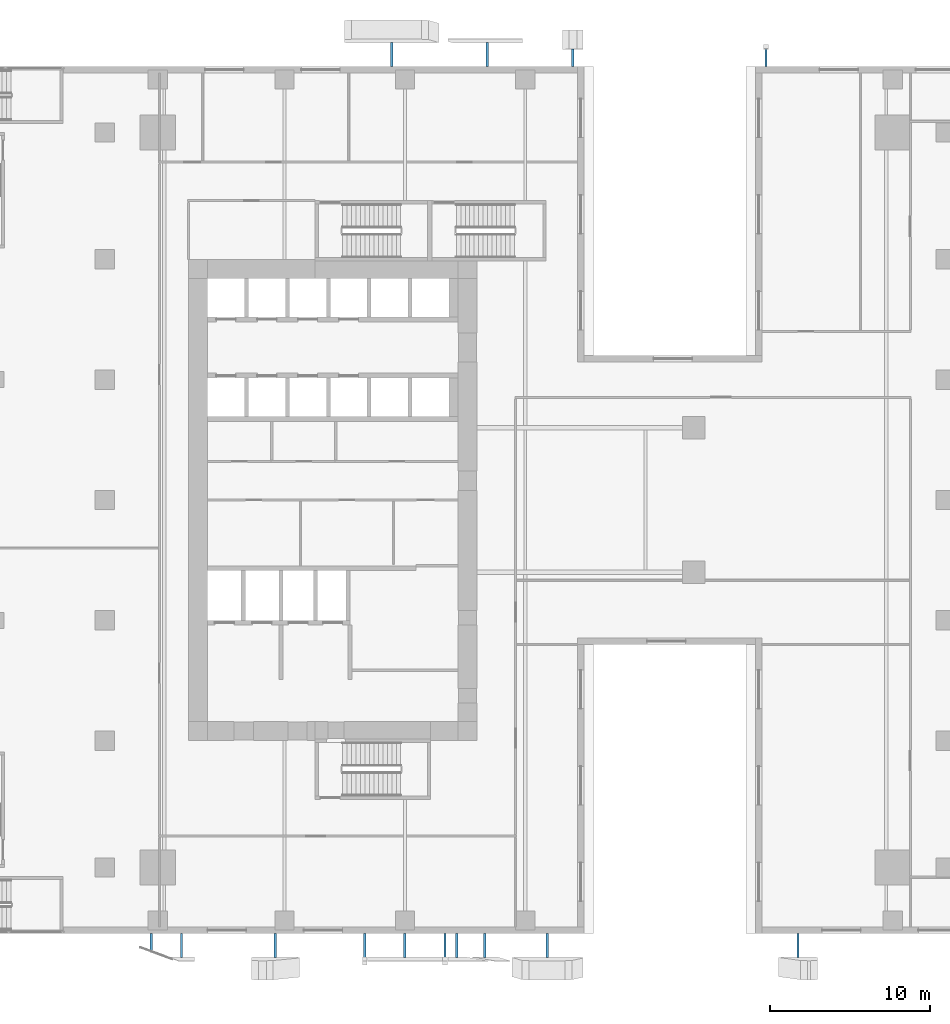
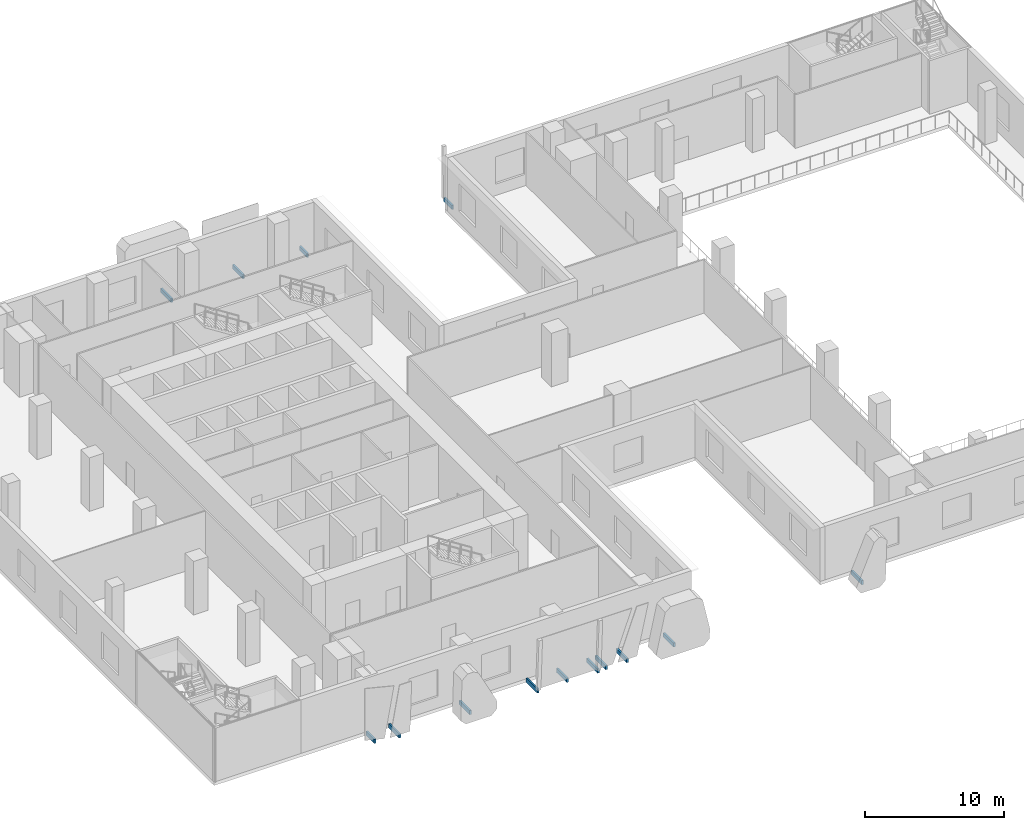
# One storey, part 16 of 23: 14 discrete accessories.
"""IFC4 building model written with IfcOpenShell, lengths in metres."""

from ifc_helpers import new_model, si_unit, direction, frame, origin, origin_2d, place, context, subcontext, project, spatial, rectangle, extrude, source, transform, mapped, material, type_object, element, save


model = new_model("IFC4")

# Units and contexts
model_context = context("Model", 3, precision=1e-05, world=origin(), true_north=direction((0.0, 1.0)))
body_context = subcontext(model_context, "Body", "Model", "MODEL_VIEW")
ifc_project = project(units=[si_unit("LENGTHUNIT", "METRE"), si_unit("AREAUNIT", "SQUARE_METRE"), si_unit("VOLUMEUNIT", "CUBIC_METRE"), si_unit("PLANEANGLEUNIT", "RADIAN"), si_unit("MASSUNIT", "GRAM", prefix="KILO")], contexts=[model_context])

# Site, building, storey
site_placement = place(None, origin())
site = spatial("IfcSite", under=ifc_project, at=site_placement, CompositionType="ELEMENT")
building_placement = place(site_placement, origin())
building = spatial("IfcBuilding", under=site, at=building_placement, Name="Khomas Fold Tower", CompositionType="ELEMENT")
storey_placement = place(building_placement, frame((0.0, 0.0, 18.5)))
storey = spatial("IfcBuildingStorey", under=building, at=storey_placement, Name="L03", CompositionType="ELEMENT", Elevation=18.5)

# Discrete accessories
ifc_material = material(Name="Stainless steel", Category="steel")
discrete_accessory_type = type_object("IfcDiscreteAccessoryType", Name="SK-Stainless steel stone bracket", PredefinedType="BRACKET", material=ifc_material)
shared_shape_1 = source(origin(), body_context, "Body", "SweptSolid", [
    extrude(rectangle(XDim=1.503173828125, YDim=0.14990234375, at=origin_2d()), origin(), (0.0, 0.0, 1.0), 0.360107421875),
])
for number, where, z_axis, x_axis, name in (
    (1, (11.429931640625, -0.75146484375, -0.30029296875), (0.0, 0.0, 1.0), (0.0, -1.0, 0.0), "Stone bracket L03 SS03-1-1"),
    (2, (28.3818359375, -0.75146484375, -0.30029296875), (0.0, 0.0, 1.0), (0.0, -1.0, 0.0), "Stone bracket L03 SS06-2-1"),
    (3, (43.996826171875, -0.75146484375, -0.30029296875), (0.0, 0.0, 1.0), (0.0, -1.0, 0.0), "Stone bracket L03 SS09-3-1"),
    (4, (18.67138671875, 54.75146484375, -0.30029296875), (0.0, 0.0, 1.0), (0.0, 1.0, 0.0), "Stone bracket L03 NS05-1-1"),
    (5, (5.577392578125, -0.75146484375, -0.30029296875), (0.0, 0.0, 1.0), (0.0, -1.0, 0.0), "Stone bracket L03 SG098-1-1"),
    (6, (24.47119140625, -0.75146484375, -0.30029296875), (0.0, 0.0, 1.0), (0.0, -1.0, 0.0), "Stone bracket L03 SG102-3-1"),
    (7, (19.5, -0.75146484375, -0.30029296875), (0.0, 0.0, 1.0), (0.0, -1.0, 0.0), "Stone bracket L03 SG101-5-1"),
    (8, (22.724365234375, -0.75146484375, -0.30029296875), (0.0, 0.0, 1.0), (0.0, -1.0, 0.0), "Stone bracket L03 SG102-7-1"),
    (9, (24.635009765625, 54.75146484375, -0.30029296875), (0.0, 0.0, 1.0), (0.0, 1.0, 0.0), "Stone bracket L03 NG102-1-1"),
):
    element("IfcDiscreteAccessory", number, at=place(storey_placement, frame(where, z_axis=z_axis, x_axis=x_axis)), inside=storey, type_object=discrete_accessory_type, Name=name, PredefinedType="BRACKET", context=body_context, shape_type="MappedRepresentation", body=[
        mapped(shared_shape_1, transform((0.0, 0.0, 0.0))),
    ])
shared_shape_2 = source(origin(), body_context, "Body", "SweptSolid", [
    extrude(rectangle(XDim=1.098388671875, YDim=0.14990234375, at=origin_2d()), origin(), (0.0, 0.0, 1.0), 0.360107421875),
])
discrete_accessory_1_placement = place(storey_placement, frame((29.962646484375, 54.54931640625, -0.30029296875), z_axis=(0.0, 0.0, 1.0), x_axis=(0.0, 1.0, 0.0)))
element("IfcDiscreteAccessory", 10, at=discrete_accessory_1_placement, inside=storey, type_object=discrete_accessory_type, Name="Stone bracket L03 NS08-2-1", PredefinedType="BRACKET", context=body_context, shape_type="MappedRepresentation", body=[
    mapped(shared_shape_2, transform((0.0, 0.0, 0.0))),
])
shared_shape_3 = source(origin(), body_context, "Body", "SweptSolid", [
    extrude(rectangle(XDim=1.205322265625, YDim=0.14990234375, at=origin_2d()), origin(), (0.0, 0.0, 1.0), 0.360107421875),
])
discrete_accessory_2_placement = place(storey_placement, frame((3.680419921875, -0.602783203125, -0.30029296875), z_axis=(0.0, 0.0, 1.0), x_axis=(0.0, -1.0, 0.0)))
element("IfcDiscreteAccessory", 11, at=discrete_accessory_2_placement, inside=storey, type_object=discrete_accessory_type, Name="Stone bracket L03 SG098-2-1", PredefinedType="BRACKET", context=body_context, shape_type="MappedRepresentation", body=[
    mapped(shared_shape_3, transform((0.0, 0.0, 0.0))),
])
shared_shape_4 = source(origin(), body_context, "Body", "SweptSolid", [
    extrude(rectangle(XDim=1.59814453125, YDim=0.14990234375, at=origin_2d()), origin(), (0.0, 0.0, 1.0), 0.360107421875),
])
for number, where, z_axis, x_axis, name in (
    (12, (17.0, -0.799072265625, -0.30029296875), (0.0, 0.0, 1.0), (0.0, -1.0, 0.0), "Stone bracket L03 SM101-4-1"),
    (13, (22.0, -0.799072265625, -0.30029296875), (0.0, 0.0, 1.0), (0.0, -1.0, 0.0), "Stone bracket L03 SM102-6-1"),
):
    element("IfcDiscreteAccessory", number, at=place(storey_placement, frame(where, z_axis=z_axis, x_axis=x_axis)), inside=storey, type_object=discrete_accessory_type, Name=name, PredefinedType="BRACKET", context=body_context, shape_type="MappedRepresentation", body=[
        mapped(shared_shape_4, transform((0.0, 0.0, 0.0))),
    ])
shared_shape_5 = source(origin(), body_context, "Body", "SweptSolid", [
    extrude(rectangle(XDim=1.193359375, YDim=0.14990234375, at=origin_2d()), origin(), (0.0, 0.0, 1.0), 0.360107421875),
])
discrete_accessory_3_placement = place(storey_placement, frame((42.0, 54.5966796875, -0.30029296875), z_axis=(0.0, 0.0, 1.0), x_axis=(0.0, 1.0, 0.0)))
element("IfcDiscreteAccessory", 14, at=discrete_accessory_3_placement, inside=storey, type_object=discrete_accessory_type, Name="Stone bracket L03 NM106-2-1", PredefinedType="BRACKET", context=body_context, shape_type="MappedRepresentation", body=[
    mapped(shared_shape_5, transform((0.0, 0.0, 0.0))),
])

save(model, "model.ifc")
